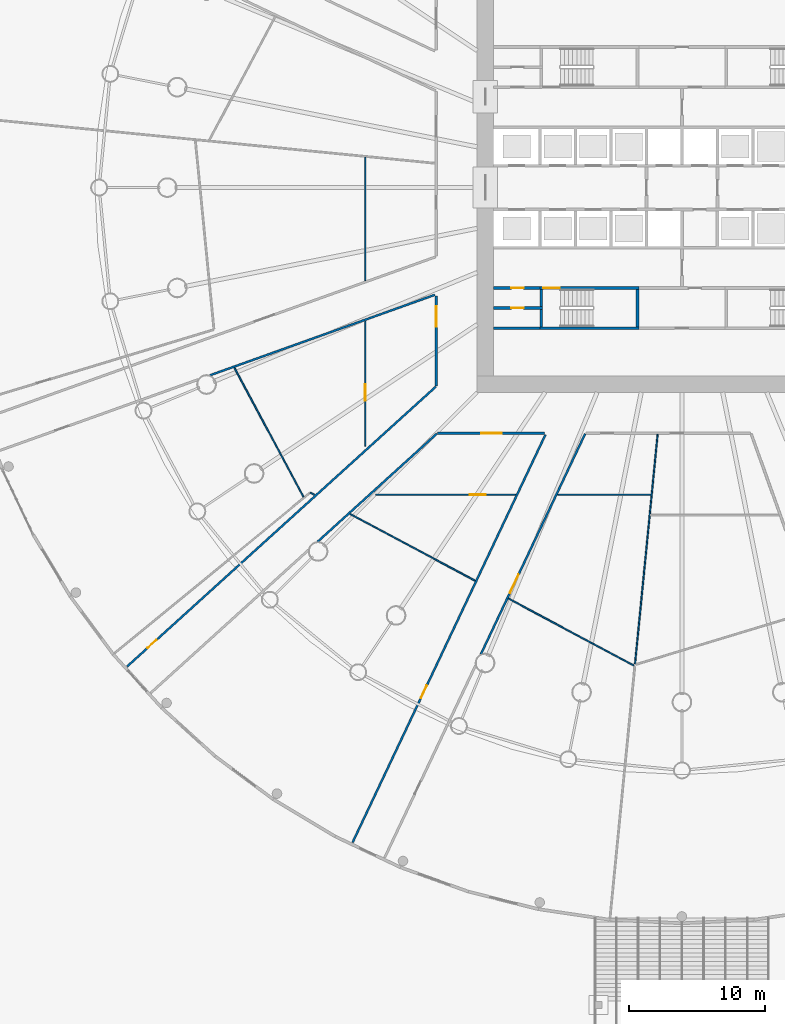
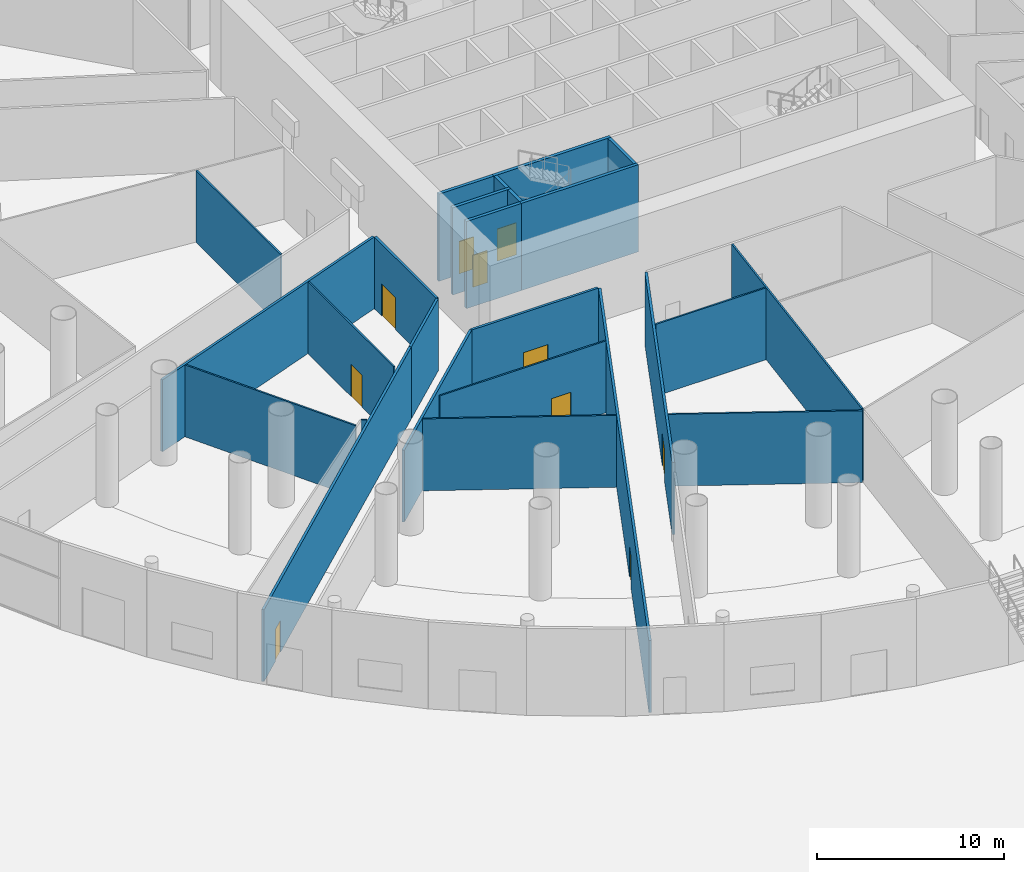
# One storey, part 14 of 33: 25 walls, 10 doors, 10 openings.
"""IFC4 building model written with IfcOpenShell, lengths in metres."""

from ifc_helpers import new_model, si_unit, direction, frame, frame_2d, origin, place, context, subcontext, project, spatial, polyline, rectangle, outline, extrude, material, layer, layer_set, type_object, element, fill, save


model = new_model("IFC4")

# Units and contexts
model_context = context("Model", 3, precision=1e-05, world=origin(), true_north=direction((0.0, 1.0)))
body_context = subcontext(model_context, "Body", "Model", "MODEL_VIEW")
ifc_project = project(units=[si_unit("LENGTHUNIT", "METRE"), si_unit("AREAUNIT", "SQUARE_METRE"), si_unit("VOLUMEUNIT", "CUBIC_METRE"), si_unit("PLANEANGLEUNIT", "RADIAN"), si_unit("MASSUNIT", "GRAM", prefix="KILO")], contexts=[model_context])

# Site, building, storey
site_placement = place(None, origin())
site = spatial("IfcSite", under=ifc_project, at=site_placement, CompositionType="ELEMENT")
building_placement = place(site_placement, origin())
building = spatial("IfcBuilding", under=site, at=building_placement, Name="Corvane Civic Tower", CompositionType="ELEMENT")
storey_placement = place(building_placement, origin())
storey = spatial("IfcBuildingStorey", under=building, at=storey_placement, Name="G", CompositionType="ELEMENT", Elevation=0.0)

# Wall, opening, door
ifc_material_1 = material(Name="Concrete C30/37", Category="concrete")
ifc_layer_1 = layer(ifc_material_1, 0.199951171875)
ifc_layer_set_1 = layer_set([ifc_layer_1], Name="Concrete C30/37")
wall_type_1 = type_object("IfcWallType", Name="CR-WALL-200", PredefinedType="PARTITIONING", material=ifc_layer_set_1)
wall_1_placement = place(storey_placement, frame((-13.800048828125, -8.824951171875, 0.0), z_axis=(0.0, 0.0, 1.0), x_axis=(1.0, 0.0, 0.0)))
wall_1 = element("IfcWall", 1, at=wall_1_placement, inside=storey, type_object=wall_type_1, Name="G partition wall", PredefinedType="PARTITIONING", context=body_context, shape_type="SweptSolid", body=[
    extrude(rectangle(XDim=3.60009765625, YDim=0.199951171875, at=frame_2d((1.800048828125, 0.0))), origin(), (0.0, 0.0, 1.0), 5.699951171875),
])
opening_1_placement = place(wall_1_placement, frame((1.300048828125, 0.0, 0.0)))
opening_1 = element("IfcOpeningElement", 2, at=opening_1_placement, cuts=wall_1, Name="Opening G.C09", PredefinedType="OPENING", context=body_context, shape_type="SweptSolid", body=[
    extrude(rectangle(XDim=0.89990234375, YDim=2.10009765625, at=frame_2d((0.449951171875, 1.050048828125))), frame((0.0, 0.10986328125, 0.0), z_axis=(0.0, -1.0, 0.0), x_axis=(1.0, 0.0, 0.0)), (0.0, 0.0, 1.0), 0.219970703125),
])
ifc_material_2 = material(Name="Steel fire door leaf", Category="steel")
door_type_1 = type_object("IfcDoorType", Name="CR-DOOR-900", OperationType="SINGLE_SWING_LEFT", PredefinedType="DOOR", material=ifc_material_2)
door_1_placement = place(opening_1_placement, origin())
door_1 = element("IfcDoor", 3, at=door_1_placement, inside=storey, type_object=door_type_1, Name="G door", OperationType="SINGLE_SWING_LEFT", OverallHeight=2.10009765625, OverallWidth=0.89990234375, PredefinedType="DOOR", context=body_context, shape_type="SweptSolid", body=[
    extrude(rectangle(XDim=0.89990234375, YDim=2.10009765625, at=frame_2d((0.449951171875, 1.050048828125))), frame((0.0, 0.02490234375, 0.0), z_axis=(0.0, -1.0, 0.0), x_axis=(1.0, 0.0, 0.0)), (0.0, 0.0, 1.0), 0.050048828125),
])
fill(opening_1, door_1)

wall_2_placement = place(storey_placement, frame((-13.800048828125, -7.35009765625, 0.0), z_axis=(0.0, 0.0, 1.0), x_axis=(1.0, 0.0, 0.0)))
wall_2 = element("IfcWall", 4, at=wall_2_placement, inside=storey, type_object=wall_type_1, Name="G core partition wall", PredefinedType="PARTITIONING", context=body_context, shape_type="SweptSolid", body=[
    extrude(rectangle(XDim=3.400146484375, YDim=0.199951171875, at=frame_2d((1.7001953125, 0.0))), origin(), (0.0, 0.0, 1.0), 5.699951171875),
])
opening_2_placement = place(wall_2_placement, frame((1.300048828125, 0.0, 0.0)))
opening_2 = element("IfcOpeningElement", 5, at=opening_2_placement, cuts=wall_2, Name="Opening G.C08", PredefinedType="OPENING", context=body_context, shape_type="SweptSolid", body=[
    extrude(rectangle(XDim=0.89990234375, YDim=2.10009765625, at=frame_2d((0.449951171875, 1.050048828125))), frame((0.0, 0.10986328125, 0.0), z_axis=(0.0, -1.0, 0.0), x_axis=(1.0, 0.0, 0.0)), (0.0, 0.0, 1.0), 0.219970703125),
])
door_2_placement = place(opening_2_placement, origin())
door_2 = element("IfcDoor", 6, at=door_2_placement, inside=storey, type_object=door_type_1, Name="G door", OperationType="SINGLE_SWING_LEFT", OverallHeight=2.10009765625, OverallWidth=0.89990234375, PredefinedType="DOOR", context=body_context, shape_type="SweptSolid", body=[
    extrude(rectangle(XDim=0.89990234375, YDim=2.10009765625, at=frame_2d((0.449951171875, 1.050048828125))), frame((0.0, 0.02490234375, 0.0), z_axis=(0.0, -1.0, 0.0), x_axis=(1.0, 0.0, 0.0)), (0.0, 0.0, 1.0), 0.050048828125),
])
fill(opening_2, door_2)

# Walls
wall_3_placement = place(storey_placement, origin())
element("IfcWall", 7, at=wall_3_placement, inside=storey, type_object=wall_type_1, Name="G core partition wall", PredefinedType="PARTITIONING", context=body_context, shape_type="SweptSolid", body=[
    extrude(outline(polyline([(-10.39990234375, -10.39990234375), (-13.800048828125, -10.39990234375), (-13.800048828125, -10.199951171875), (-10.39990234375, -10.199951171875), (-10.39990234375, -10.39990234375)])), origin(), (0.0, 0.0, 1.0), 5.699951171875),
])
ifc_material_3 = material(Name="Plasterboard")
ifc_layer_2 = layer(ifc_material_3, 0.10009765625)
ifc_layer_set_2 = layer_set([ifc_layer_2], Name="Plasterboard")
wall_type_2 = type_object("IfcWallType", Name="Partition 100 plasterboard on studs", PredefinedType="PARTITIONING", material=ifc_layer_set_2)
wall_4_placement = place(storey_placement, frame((-12.7158203125, -30.10693359375, 0.0), z_axis=(0.0, 0.0, 1.0), x_axis=(0.881926802325, -0.471386375854, 0.0)))
element("IfcWall", 8, at=wall_4_placement, inside=storey, type_object=wall_type_2, Name="Partition G.011", PredefinedType="PARTITIONING", context=body_context, shape_type="SweptSolid", body=[
    extrude(rectangle(XDim=10.42822265625, YDim=0.10009765625, at=frame_2d((5.214111328125, 0.0))), origin(), (0.0, 0.0, 1.0), 4.699951171875),
])
wall_5_placement = place(storey_placement, frame((-3.436767578125, -34.893798828125, 0.0), z_axis=(0.0, 0.0, 1.0), x_axis=(0.098015666986, 0.995184871783, 0.0)))
element("IfcWall", 9, at=wall_5_placement, inside=storey, type_object=wall_type_2, Name="Partition G.013", PredefinedType="PARTITIONING", context=body_context, shape_type="SweptSolid", body=[
    extrude(rectangle(XDim=16.895263671875, YDim=0.10009765625, at=frame_2d((8.44775390625, 0.0))), origin(), (0.0, 0.0, 1.0), 4.699951171875),
])
wall_6_placement = place(storey_placement, frame((-24.30859375, -23.910400390625, 0.0), z_axis=(0.0, 0.0, 1.0), x_axis=(0.881925098101, -0.471389564309, 0.0)))
element("IfcWall", 10, at=wall_6_placement, inside=storey, type_object=wall_type_2, Name="Partition G.018", PredefinedType="PARTITIONING", context=body_context, shape_type="SweptSolid", body=[
    extrude(rectangle(XDim=10.38671875, YDim=0.10009765625, at=frame_2d((5.193359375, 0.0))), origin(), (0.0, 0.0, 1.0), 4.699951171875),
])
wall_7_placement = place(storey_placement, frame((-32.7890625, -13.2001953125, 0.0), z_axis=(0.0, 0.0, 1.0), x_axis=(0.471398297483, -0.881920430158, 0.0)))
element("IfcWall", 11, at=wall_7_placement, inside=storey, type_object=wall_type_2, Name="Partition G.026", PredefinedType="PARTITIONING", context=body_context, shape_type="SweptSolid", body=[
    extrude(rectangle(XDim=10.743896484375, YDim=0.10009765625, at=frame_2d((5.3720703125, 0.0))), origin(), (0.0, 0.0, 1.0), 4.699951171875),
])

# Wall, opening, door
wall_8_placement = place(storey_placement, frame((-22.449951171875, -22.5, 0.0), z_axis=(0.0, 0.0, 1.0), x_axis=(1.0, 0.0, 0.0)))
wall_8 = element("IfcWall", 12, at=wall_8_placement, inside=storey, type_object=wall_type_2, Name="Partition G.027", PredefinedType="PARTITIONING", context=body_context, shape_type="SweptSolid", body=[
    extrude(rectangle(XDim=10.263671875, YDim=0.10009765625, at=frame_2d((5.1318359375, 0.0))), origin(), (0.0, 0.0, 1.0), 4.699951171875),
])
opening_3_placement = place(wall_8_placement, frame((6.8876953125, 0.0, 0.0)))
opening_3 = element("IfcOpeningElement", 13, at=opening_3_placement, cuts=wall_8, Name="Opening G.030", PredefinedType="OPENING", context=body_context, shape_type="SweptSolid", body=[
    extrude(rectangle(XDim=1.199951171875, YDim=2.10009765625, at=frame_2d((0.60009765625, 1.050048828125))), frame((0.0, 0.06005859375, 0.0), z_axis=(0.0, -1.0, 0.0), x_axis=(1.0, 0.0, 0.0)), (0.0, 0.0, 1.0), 0.1201171875),
])
ifc_material_4 = material(Name="Timber", Category="wood")
door_type_2 = type_object("IfcDoorType", Name="Double door 1200", OperationType="NOTDEFINED", PredefinedType="DOOR", material=ifc_material_4)
door_3_placement = place(opening_3_placement, frame((1.199951171875, 0.0, 0.0), z_axis=(0.0, 0.0, 1.0), x_axis=(-1.0, 0.0, 0.0)))
door_3 = element("IfcDoor", 14, at=door_3_placement, inside=storey, type_object=door_type_2, Name="Door G.030", OperationType="DOUBLE_DOOR_SINGLE_SWING", OverallHeight=2.10009765625, OverallWidth=1.199951171875, PredefinedType="DOOR", context=body_context, shape_type="SweptSolid", body=[
    extrude(rectangle(XDim=1.199951171875, YDim=2.10009765625, at=frame_2d((0.60009765625, 1.050048828125))), frame((0.0, 0.02490234375, 0.0), z_axis=(0.0, -1.0, 0.0), x_axis=(1.0, 0.0, 0.0)), (0.0, 0.0, 1.0), 0.050048828125),
])
fill(opening_3, door_3)

# Wall
wall_9_placement = place(storey_placement, frame((-9.096923828125, -22.5, 0.0), z_axis=(0.0, 0.0, 1.0), x_axis=(1.0, 0.0, 0.0)))
element("IfcWall", 15, at=wall_9_placement, inside=storey, type_object=wall_type_2, Name="Partition G.028", PredefinedType="PARTITIONING", context=body_context, shape_type="SweptSolid", body=[
    extrude(rectangle(XDim=6.82568359375, YDim=0.10009765625, at=frame_2d((3.412841796875, 0.0))), origin(), (0.0, 0.0, 1.0), 4.699951171875),
])

# Wall, opening, door
wall_10_placement = place(storey_placement, frame((-23.199951171875, -18.93408203125, 0.0), z_axis=(0.0, 0.0, 1.0), x_axis=(0.0, 1.0, 0.0)))
wall_10 = element("IfcWall", 16, at=wall_10_placement, inside=storey, type_object=wall_type_2, Name="Partition G.034", PredefinedType="PARTITIONING", context=body_context, shape_type="SweptSolid", body=[
    extrude(rectangle(XDim=9.15478515625, YDim=0.10009765625, at=frame_2d((4.577392578125, 0.0))), origin(), (0.0, 0.0, 1.0), 4.699951171875),
])
opening_4_placement = place(wall_10_placement, frame((3.330810546875, 0.0, 0.0)))
opening_4 = element("IfcOpeningElement", 17, at=opening_4_placement, cuts=wall_10, Name="Opening G.035", PredefinedType="OPENING", context=body_context, shape_type="SweptSolid", body=[
    extrude(rectangle(XDim=1.199951171875, YDim=2.10009765625, at=frame_2d((0.60009765625, 1.050048828125))), frame((0.0, 0.06005859375, 0.0), z_axis=(0.0, -1.0, 0.0), x_axis=(1.0, 0.0, 0.0)), (0.0, 0.0, 1.0), 0.1201171875),
])
door_4_placement = place(opening_4_placement, origin())
door_4 = element("IfcDoor", 18, at=door_4_placement, inside=storey, type_object=door_type_2, Name="Door G.035", OperationType="DOUBLE_DOOR_SINGLE_SWING", OverallHeight=2.10009765625, OverallWidth=1.199951171875, PredefinedType="DOOR", context=body_context, shape_type="SweptSolid", body=[
    extrude(rectangle(XDim=1.199951171875, YDim=2.10009765625, at=frame_2d((0.60009765625, 1.050048828125))), frame((0.0, 0.02490234375, 0.0), z_axis=(0.0, -1.0, 0.0), x_axis=(1.0, 0.0, 0.0)), (0.0, 0.0, 1.0), 0.050048828125),
])
fill(opening_4, door_4)

# Walls
wall_11_placement = place(storey_placement, frame((-23.199951171875, -6.82275390625, 0.0), z_axis=(0.0, 0.0, 1.0), x_axis=(0.0, 1.0, 0.0)))
element("IfcWall", 19, at=wall_11_placement, inside=storey, type_object=wall_type_2, Name="Partition G.052", PredefinedType="PARTITIONING", context=body_context, shape_type="SweptSolid", body=[
    extrude(rectangle(XDim=9.052490234375, YDim=0.10009765625, at=frame_2d((4.5263671875, 0.0))), origin(), (0.0, 0.0, 1.0), 4.699951171875),
])
wall_12_placement = place(storey_placement, frame((-27.2314453125, -22.34814453125, 0.0), z_axis=(0.0, 0.0, 1.0), x_axis=(0.881926413986, -0.471387102405, 0.0)))
element("IfcWall", 20, at=wall_12_placement, inside=storey, type_object=wall_type_2, Name="Partition G.099", PredefinedType="PARTITIONING", context=body_context, shape_type="SweptSolid", body=[
    extrude(rectangle(XDim=0.3330078125, YDim=0.10009765625, at=frame_2d((0.16650390625, 0.0))), origin(), (0.0, 0.0, 1.0), 4.699951171875),
])

# Wall, opening, door
ifc_material_5 = material(Name="Concrete C50/60", Category="concrete")
ifc_layer_3 = layer(ifc_material_5, 0.199951171875)
ifc_layer_set_3 = layer_set([ifc_layer_3], Name="Concrete C50/60")
wall_type_3 = type_object("IfcWallType", Name="ST-WALL-200", PredefinedType="SHEAR", material=ifc_layer_set_3)
wall_13_placement = place(storey_placement, frame((-10.39990234375, -7.35009765625, 0.0), z_axis=(0.0, 0.0, 1.0), x_axis=(1.0, 0.0, 0.0)))
wall_13 = element("IfcWall", 21, at=wall_13_placement, inside=storey, type_object=wall_type_3, Name="G stair enclosure wall", PredefinedType="SHEAR", context=body_context, shape_type="SweptSolid", body=[
    extrude(rectangle(XDim=7.25, YDim=0.199951171875, at=frame_2d((3.625, 0.0))), origin(), (0.0, 0.0, 1.0), 5.699951171875),
])
opening_5_placement = place(wall_13_placement, frame((0.25, 0.0, 0.0)))
opening_5 = element("IfcOpeningElement", 22, at=opening_5_placement, cuts=wall_13, Name="Opening G.C17", PredefinedType="OPENING", context=body_context, shape_type="SweptSolid", body=[
    extrude(rectangle(XDim=1.199951171875, YDim=2.10009765625, at=frame_2d((0.60009765625, 1.050048828125))), frame((0.0, 0.10986328125, 0.0), z_axis=(0.0, -1.0, 0.0), x_axis=(1.0, 0.0, 0.0)), (0.0, 0.0, 1.0), 0.219970703125),
])
ifc_material_6 = material(Name="Steel fire door leaf", Category="steel")
door_type_3 = type_object("IfcDoorType", Name="ST-DOOR-1200", OperationType="SINGLE_SWING_RIGHT", PredefinedType="DOOR", material=ifc_material_6)
door_5_placement = place(opening_5_placement, origin())
door_5 = element("IfcDoor", 23, at=door_5_placement, inside=storey, type_object=door_type_3, Name="G stair door", OperationType="SINGLE_SWING_RIGHT", OverallHeight=2.10009765625, OverallWidth=1.199951171875, PredefinedType="DOOR", context=body_context, shape_type="SweptSolid", body=[
    extrude(rectangle(XDim=1.199951171875, YDim=2.10009765625, at=frame_2d((0.60009765625, 1.050048828125))), frame((0.0, 0.02490234375, 0.0), z_axis=(0.0, -1.0, 0.0), x_axis=(1.0, 0.0, 0.0)), (0.0, 0.0, 1.0), 0.050048828125),
])
fill(opening_5, door_5)

# Walls
wall_14_placement = place(storey_placement, origin())
element("IfcWall", 24, at=wall_14_placement, inside=storey, type_object=wall_type_3, Name="G stair enclosure wall", PredefinedType="SHEAR", context=body_context, shape_type="SweptSolid", body=[
    extrude(outline(polyline([(-3.14990234375, -10.199951171875), (-3.14990234375, -10.39990234375), (-10.39990234375, -10.39990234375), (-10.39990234375, -10.199951171875), (-3.14990234375, -10.199951171875)])), origin(), (0.0, 0.0, 1.0), 5.699951171875),
])
wall_15_placement = place(storey_placement, origin())
element("IfcWall", 25, at=wall_15_placement, inside=storey, type_object=wall_type_3, Name="G stair enclosure wall", PredefinedType="SHEAR", context=body_context, shape_type="SweptSolid", body=[
    extrude(outline(polyline([(-3.14990234375, -7.449951171875), (-3.14990234375, -10.199951171875), (-3.35009765625, -10.199951171875), (-3.35009765625, -7.449951171875), (-3.14990234375, -7.449951171875)])), origin(), (0.0, 0.0, 1.0), 5.699951171875),
])
wall_16_placement = place(storey_placement, origin())
element("IfcWall", 26, at=wall_16_placement, inside=storey, type_object=wall_type_3, Name="G stair enclosure wall", PredefinedType="SHEAR", context=body_context, shape_type="SweptSolid", body=[
    extrude(outline(polyline([(-10.199951171875, -7.449951171875), (-10.199951171875, -8.72509765625), (-10.39990234375, -8.72509765625), (-10.39990234375, -7.449951171875), (-10.199951171875, -7.449951171875)])), origin(), (0.0, 0.0, 1.0), 5.699951171875),
])
wall_17_placement = place(storey_placement, origin())
element("IfcWall", 27, at=wall_17_placement, inside=storey, type_object=wall_type_3, Name="G stair enclosure wall", PredefinedType="SHEAR", context=body_context, shape_type="SweptSolid", body=[
    extrude(outline(polyline([(-10.199951171875, -8.925048828125), (-10.199951171875, -10.199951171875), (-10.39990234375, -10.199951171875), (-10.39990234375, -8.925048828125), (-10.199951171875, -8.925048828125)])), origin(), (0.0, 0.0, 1.0), 5.699951171875),
])

# Wall, opening, door
ifc_material_7 = material(Name="Plasterboard")
ifc_layer_4 = layer(ifc_material_7, 0.14990234375)
ifc_layer_set_4 = layer_set([ifc_layer_4], Name="Plasterboard")
wall_type_4 = type_object("IfcWallType", Name="Tenancy wall 150 EI 60", PredefinedType="PARTITIONING", material=ifc_layer_set_4)
wall_18_placement = place(storey_placement, frame((-24.128662109375, -47.97509765625, 0.0), z_axis=(0.0, 0.0, 1.0), x_axis=(0.427554865674, 0.903989400844, 0.0)))
wall_18 = element("IfcWall", 28, at=wall_18_placement, inside=storey, type_object=wall_type_4, Name="Partition G.005", PredefinedType="PARTITIONING", context=body_context, shape_type="SweptSolid", body=[
    extrude(rectangle(XDim=33.0400390625, YDim=0.14990234375, at=frame_2d((16.52001953125, 0.0))), origin(), (0.0, 0.0, 1.0), 4.699951171875),
])
opening_6_placement = place(wall_18_placement, frame((11.707275390625, 0.0, 0.0)))
opening_6 = element("IfcOpeningElement", 29, at=opening_6_placement, cuts=wall_18, Name="Opening G.027", PredefinedType="OPENING", context=body_context, shape_type="SweptSolid", body=[
    extrude(rectangle(XDim=1.0, YDim=2.10009765625, at=frame_2d((0.5, 1.050048828125))), frame((0.0, 0.0849609375, 0.0), z_axis=(0.0, -1.0, 0.0), x_axis=(1.0, 0.0, 0.0)), (0.0, 0.0, 1.0), 0.169921875),
])
ifc_material_8 = material(Name="Steel and timber", Category="steel")
door_type_4 = type_object("IfcDoorType", Name="Fire door FD30S 1000", OperationType="NOTDEFINED", PredefinedType="DOOR", material=ifc_material_8)
door_6_placement = place(opening_6_placement, origin())
door_6 = element("IfcDoor", 30, at=door_6_placement, inside=storey, type_object=door_type_4, Name="Door G.027", OperationType="SINGLE_SWING_RIGHT", OverallHeight=2.10009765625, OverallWidth=1.0, PredefinedType="DOOR", context=body_context, shape_type="SweptSolid", body=[
    extrude(rectangle(XDim=1.0, YDim=2.10009765625, at=frame_2d((0.5, 1.050048828125))), frame((0.0, 0.02490234375, 0.0), z_axis=(0.0, -1.0, 0.0), x_axis=(1.0, 0.0, 0.0)), (0.0, 0.0, 1.0), 0.050048828125),
])
fill(opening_6, door_6)

wall_19_placement = place(storey_placement, frame((-40.651123046875, -35.089599609375, 0.0), z_axis=(0.0, 0.0, 1.0), x_axis=(0.740950890062, 0.671559214453, 0.0)))
wall_19 = element("IfcWall", 31, at=wall_19_placement, inside=storey, type_object=wall_type_4, Name="Partition G.010", PredefinedType="PARTITIONING", context=body_context, shape_type="SweptSolid", body=[
    extrude(rectangle(XDim=25.792724609375, YDim=0.14990234375, at=frame_2d((12.896484375, 0.0))), origin(), (0.0, 0.0, 1.0), 4.699951171875),
])
opening_7_placement = place(wall_19_placement, frame((2.00732421875, 0.0, 0.0)))
opening_7 = element("IfcOpeningElement", 32, at=opening_7_placement, cuts=wall_19, Name="Opening G.028", PredefinedType="OPENING", context=body_context, shape_type="SweptSolid", body=[
    extrude(rectangle(XDim=0.89990234375, YDim=2.10009765625, at=frame_2d((0.449951171875, 1.050048828125))), frame((0.0, 0.0849609375, 0.0), z_axis=(0.0, -1.0, 0.0), x_axis=(1.0, 0.0, 0.0)), (0.0, 0.0, 1.0), 0.169921875),
])
ifc_material_9 = material(Name="Steel and timber", Category="steel")
door_type_5 = type_object("IfcDoorType", Name="Fire door FD30S 900", OperationType="NOTDEFINED", PredefinedType="DOOR", material=ifc_material_9)
door_7_placement = place(opening_7_placement, origin())
door_7 = element("IfcDoor", 33, at=door_7_placement, inside=storey, type_object=door_type_5, Name="Door G.028", OperationType="SINGLE_SWING_LEFT", OverallHeight=2.10009765625, OverallWidth=0.89990234375, PredefinedType="DOOR", context=body_context, shape_type="SweptSolid", body=[
    extrude(rectangle(XDim=0.89990234375, YDim=2.10009765625, at=frame_2d((0.449951171875, 1.050048828125))), frame((0.0, 0.02490234375, 0.0), z_axis=(0.0, -1.0, 0.0), x_axis=(1.0, 0.0, 0.0)), (0.0, 0.0, 1.0), 0.050048828125),
])
fill(opening_7, door_7)

wall_20_placement = place(storey_placement, frame((-14.73291015625, -34.190185546875, 0.0), z_axis=(0.0, 0.0, 1.0), x_axis=(0.427561601701, 0.903986214912, 0.0)))
wall_20 = element("IfcWall", 34, at=wall_20_placement, inside=storey, type_object=wall_type_4, Name="Partition G.015", PredefinedType="PARTITIONING", context=body_context, shape_type="SweptSolid", body=[
    extrude(rectangle(XDim=17.8623046875, YDim=0.14990234375, at=frame_2d((8.93115234375, 0.0))), origin(), (0.0, 0.0, 1.0), 4.699951171875),
])
opening_8_placement = place(wall_20_placement, frame((4.968017578125, 0.0, 0.0)))
opening_8 = element("IfcOpeningElement", 35, at=opening_8_placement, cuts=wall_20, Name="Opening G.029", PredefinedType="OPENING", context=body_context, shape_type="SweptSolid", body=[
    extrude(rectangle(XDim=1.5, YDim=2.10009765625, at=frame_2d((0.75, 1.050048828125))), frame((0.0, 0.0849609375, 0.0), z_axis=(0.0, -1.0, 0.0), x_axis=(1.0, 0.0, 0.0)), (0.0, 0.0, 1.0), 0.169921875),
])
ifc_material_10 = material(Name="Steel and timber", Category="steel")
door_type_6 = type_object("IfcDoorType", Name="Fire door FD60 double 1500", OperationType="NOTDEFINED", PredefinedType="DOOR", material=ifc_material_10)
door_8_placement = place(opening_8_placement, frame((1.5, 0.0, 0.0), z_axis=(0.0, 0.0, 1.0), x_axis=(-1.0, 0.0, 0.0)))
door_8 = element("IfcDoor", 36, at=door_8_placement, inside=storey, type_object=door_type_6, Name="Door G.029", OperationType="DOUBLE_DOOR_SINGLE_SWING", OverallHeight=2.10009765625, OverallWidth=1.5, PredefinedType="DOOR", context=body_context, shape_type="SweptSolid", body=[
    extrude(rectangle(XDim=1.5, YDim=2.10009765625, at=frame_2d((0.75, 1.050048828125))), frame((0.0, 0.02490234375, 0.0), z_axis=(0.0, -1.0, 0.0), x_axis=(1.0, 0.0, 0.0)), (0.0, 0.0, 1.0), 0.050048828125),
])
fill(opening_8, door_8)

# Wall
wall_21_placement = place(storey_placement, frame((-26.6953125, -25.94970703125, 0.0), z_axis=(0.0, 0.0, 1.0), x_axis=(0.740946765449, 0.67156376523, 0.0)))
element("IfcWall", 37, at=wall_21_placement, inside=storey, type_object=wall_type_4, Name="Partition G.020", PredefinedType="PARTITIONING", context=body_context, shape_type="SweptSolid", body=[
    extrude(rectangle(XDim=11.808837890625, YDim=0.14990234375, at=frame_2d((5.904296875, 0.0))), origin(), (0.0, 0.0, 1.0), 4.699951171875),
])

# Wall, opening, door
wall_22_placement = place(storey_placement, frame((-17.895263671875, -18.0, 0.0), z_axis=(0.0, 0.0, 1.0), x_axis=(1.0, 0.0, 0.0)))
wall_22 = element("IfcWall", 38, at=wall_22_placement, inside=storey, type_object=wall_type_4, Name="Partition G.035", PredefinedType="PARTITIONING", context=body_context, shape_type="SweptSolid", body=[
    extrude(rectangle(XDim=7.825439453125, YDim=0.14990234375, at=frame_2d((3.91259765625, 0.0))), origin(), (0.0, 0.0, 1.0), 4.699951171875),
])
opening_9_placement = place(wall_22_placement, frame((3.19921875, 0.0, 0.0)))
opening_9 = element("IfcOpeningElement", 39, at=opening_9_placement, cuts=wall_22, Name="Opening G.031", PredefinedType="OPENING", context=body_context, shape_type="SweptSolid", body=[
    extrude(rectangle(XDim=1.5, YDim=2.10009765625, at=frame_2d((0.75, 1.050048828125))), frame((0.0, 0.0849609375, 0.0), z_axis=(0.0, -1.0, 0.0), x_axis=(1.0, 0.0, 0.0)), (0.0, 0.0, 1.0), 0.169921875),
])
door_9_placement = place(opening_9_placement, frame((1.5, 0.0, 0.0), z_axis=(0.0, 0.0, 1.0), x_axis=(-1.0, 0.0, 0.0)))
door_9 = element("IfcDoor", 40, at=door_9_placement, inside=storey, type_object=door_type_6, Name="Door G.031", OperationType="DOUBLE_DOOR_SINGLE_SWING", OverallHeight=2.10009765625, OverallWidth=1.5, PredefinedType="DOOR", context=body_context, shape_type="SweptSolid", body=[
    extrude(rectangle(XDim=1.5, YDim=2.10009765625, at=frame_2d((0.75, 1.050048828125))), frame((0.0, 0.02490234375, 0.0), z_axis=(0.0, -1.0, 0.0), x_axis=(1.0, 0.0, 0.0)), (0.0, 0.0, 1.0), 0.050048828125),
])
fill(opening_9, door_9)

# Wall
wall_23_placement = place(storey_placement, frame((-21.5400390625, -17.768310546875, 0.0), z_axis=(0.0, 0.0, 1.0), x_axis=(0.740938140624, 0.671573281012, 0.0)))
element("IfcWall", 41, at=wall_23_placement, inside=storey, type_object=wall_type_4, Name="Partition G.039", PredefinedType="PARTITIONING", context=body_context, shape_type="SweptSolid", body=[
    extrude(rectangle(XDim=4.744384765625, YDim=0.14990234375, at=frame_2d((2.3720703125, 0.0))), origin(), (0.0, 0.0, 1.0), 4.699951171875),
])

# Wall, opening, door
wall_24_placement = place(storey_placement, frame((-18.0, -14.526611328125, 0.0), z_axis=(0.0, 0.0, 1.0), x_axis=(0.0, 1.0, 0.0)))
wall_24 = element("IfcWall", 42, at=wall_24_placement, inside=storey, type_object=wall_type_4, Name="Partition G.046", PredefinedType="PARTITIONING", context=body_context, shape_type="SweptSolid", body=[
    extrude(rectangle(XDim=6.598876953125, YDim=0.14990234375, at=frame_2d((3.29931640625, 0.0))), origin(), (0.0, 0.0, 1.0), 4.699951171875),
])
opening_10_placement = place(wall_24_placement, frame((4.3232421875, 0.0, 0.0)))
opening_10 = element("IfcOpeningElement", 43, at=opening_10_placement, cuts=wall_24, Name="Opening G.037", PredefinedType="OPENING", context=body_context, shape_type="SweptSolid", body=[
    extrude(rectangle(XDim=1.5, YDim=2.10009765625, at=frame_2d((0.75, 1.050048828125))), frame((0.0, 0.0849609375, 0.0), z_axis=(0.0, -1.0, 0.0), x_axis=(1.0, 0.0, 0.0)), (0.0, 0.0, 1.0), 0.169921875),
])
door_10_placement = place(opening_10_placement, origin())
door_10 = element("IfcDoor", 44, at=door_10_placement, inside=storey, type_object=door_type_6, Name="Door G.037", OperationType="DOUBLE_DOOR_SINGLE_SWING", OverallHeight=2.10009765625, OverallWidth=1.5, PredefinedType="DOOR", context=body_context, shape_type="SweptSolid", body=[
    extrude(rectangle(XDim=1.5, YDim=2.10009765625, at=frame_2d((0.75, 1.050048828125))), frame((0.0, 0.02490234375, 0.0), z_axis=(0.0, -1.0, 0.0), x_axis=(1.0, 0.0, 0.0)), (0.0, 0.0, 1.0), 0.050048828125),
])
fill(opening_10, door_10)

# Wall
wall_25_placement = place(storey_placement, frame((-34.593994140625, -13.758544921875, 0.0), z_axis=(0.0, 0.0, 1.0), x_axis=(0.941546889644, 0.336881959449, 0.0)))
element("IfcWall", 45, at=wall_25_placement, inside=storey, type_object=wall_type_4, Name="Partition G.047", PredefinedType="PARTITIONING", context=body_context, shape_type="SweptSolid", body=[
    extrude(rectangle(XDim=17.517578125, YDim=0.14990234375, at=frame_2d((8.7587890625, 0.0))), origin(), (0.0, 0.0, 1.0), 4.699951171875),
])

save(model, "model.ifc")
